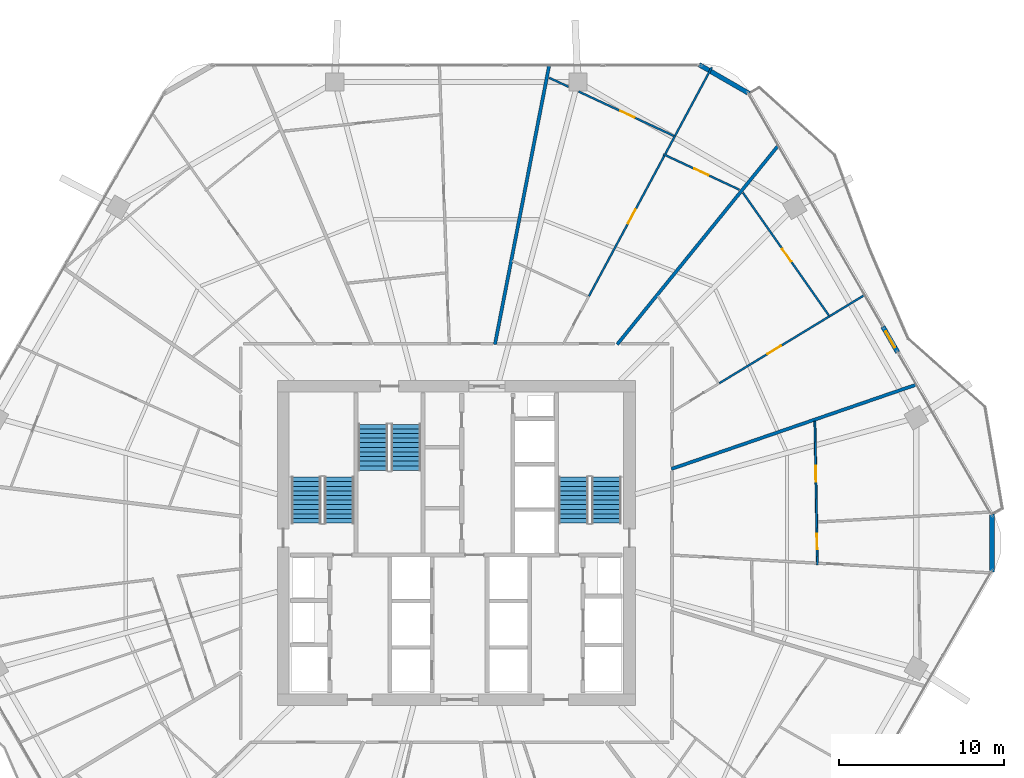
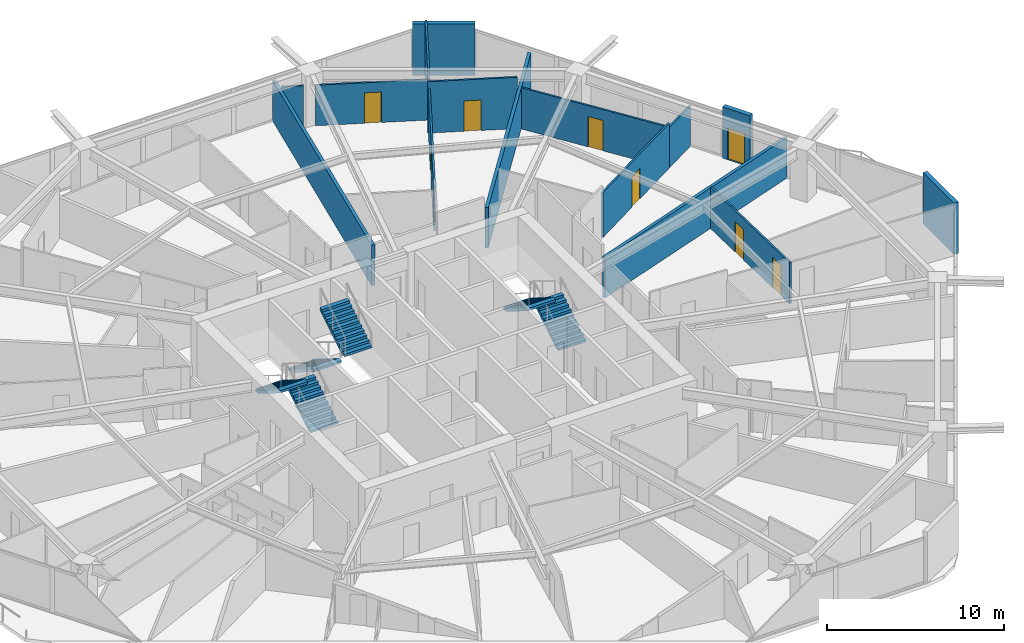
# One storey, part 29 of 32: 16 walls, 8 doors, 6 stair flights, 8 openings, 3 elements without a shape of their own.
"""IFC4 building model written with IfcOpenShell, lengths in metres."""

from ifc_helpers import new_model, si_unit, direction, frame, frame_2d, origin, place, context, subcontext, project, spatial, polyline, rectangle, outline, extrude, material, layer, layer_set, type_object, element, fill, aggregate, save


model = new_model("IFC4")

# Units and contexts
model_context = context("Model", 3, precision=1e-05, world=origin(), true_north=direction((0.0, 1.0)))
body_context = subcontext(model_context, "Body", "Model", "MODEL_VIEW")
ifc_project = project(units=[si_unit("LENGTHUNIT", "METRE"), si_unit("AREAUNIT", "SQUARE_METRE"), si_unit("VOLUMEUNIT", "CUBIC_METRE"), si_unit("PLANEANGLEUNIT", "RADIAN"), si_unit("MASSUNIT", "GRAM", prefix="KILO")], contexts=[model_context])

# Site, building, storey
site_placement = place(None, origin())
site = spatial("IfcSite", under=ifc_project, at=site_placement, CompositionType="ELEMENT")
building_placement = place(site_placement, origin())
building = spatial("IfcBuilding", under=site, at=building_placement, Name="Zuhravey Tower", CompositionType="ELEMENT")
storey_placement = place(building_placement, frame((0.0, 0.0, 111.39990234375)))
storey = spatial("IfcBuildingStorey", under=building, at=storey_placement, Name="L27", CompositionType="ELEMENT", Elevation=111.39990234375)

# Wall
ifc_material_1 = material(Name="Precast concrete C40/50", Category="concrete")
ifc_layer_1 = layer(ifc_material_1, 0.280029296875)
ifc_layer_set_1 = layer_set([ifc_layer_1], Name="Precast concrete C40/50")
wall_type_1 = type_object("IfcWallType", Name="Crown Architectural Wall 280", PredefinedType="SOLIDWALL", material=ifc_layer_set_1)
wall_1_placement = place(storey_placement, frame((50.71728515625, 61.006103515625, 0.0), z_axis=(0.0, 0.0, 1.0), x_axis=(0.866007452331, -0.500031091541, 0.0)))
element("IfcWall", 1, at=wall_1_placement, inside=storey, type_object=wall_type_1, Name="L27 Rounded Corner Closure Wall EW28-10", PredefinedType="SOLIDWALL", context=body_context, shape_type="SweptSolid", body=[
    extrude(rectangle(XDim=3.514892578125, YDim=0.280029296875, at=frame_2d((1.75732421875, 0.0))), origin(), (0.0, 0.0, 1.0), 3.550048828125),
])

# Wall, opening, door
wall_2_placement = place(storey_placement, frame((61.865478515625, 45.11669921875, 0.0), z_axis=(0.0, 0.0, 1.0), x_axis=(0.499982180423, -0.866035691677, 0.0)))
wall_2 = element("IfcWall", 2, at=wall_2_placement, inside=storey, type_object=wall_type_1, Name="L27 Face 1 Facade Pier EW28-1", PredefinedType="SOLIDWALL", context=body_context, shape_type="SweptSolid", body=[
    extrude(rectangle(XDim=1.7900390625, YDim=0.280029296875, at=frame_2d((0.89501953125, 0.0))), origin(), (0.0, 0.0, 1.0), 3.550048828125),
])
opening_1_placement = place(wall_2_placement, frame((0.344970703125, 0.0, 0.0)))
opening_1 = element("IfcOpeningElement", 3, at=opening_1_placement, cuts=wall_2, Name="Opening BLD1", PredefinedType="OPENING", context=body_context, shape_type="SweptSolid", body=[
    extrude(rectangle(XDim=1.10009765625, YDim=2.199951171875, at=frame_2d((0.550048828125, 1.10009765625))), frame((0.0, 0.152099609375, 0.0), z_axis=(0.0, -1.0, 0.0), x_axis=(1.0, 0.0, 0.0)), (0.0, 0.0, 1.0), 0.303955078125),
])
ifc_material_2 = material(Name="Thermally broken aluminium and low-E glass", Category="aluminium")
door_type_1 = type_object("IfcDoorType", Name="Balcony & Sky-Tray Glazed Door 1100x2200", OperationType="NOTDEFINED", PredefinedType="DOOR", material=ifc_material_2)
door_1_placement = place(opening_1_placement, frame((1.10009765625, 0.0, 0.0), z_axis=(0.0, 0.0, 1.0), x_axis=(-1.0, 0.0, 0.0)))
door_1 = element("IfcDoor", 4, at=door_1_placement, inside=storey, type_object=door_type_1, Name="L27 Face 1 Wave Balcony Door", OperationType="SINGLE_SWING_RIGHT", OverallHeight=2.199951171875, OverallWidth=1.10009765625, PredefinedType="DOOR", context=body_context, shape_type="SweptSolid", body=[
    extrude(rectangle(XDim=1.10009765625, YDim=2.199951171875, at=frame_2d((0.550048828125, 1.10009765625))), frame((0.0, 0.02490234375, 0.0), z_axis=(0.0, -1.0, 0.0), x_axis=(1.0, 0.0, 0.0)), (0.0, 0.0, 1.0), 0.050048828125),
])
fill(opening_1, door_1)

# Walls
wall_3_placement = place(storey_placement, frame((68.478515625, 33.757568359375, 0.0), z_axis=(0.0, 0.0, 1.0), x_axis=(0.0, -1.0, 0.0)))
element("IfcWall", 5, at=wall_3_placement, inside=storey, type_object=wall_type_1, Name="L27 Rounded Corner Closure Wall EW28-12", PredefinedType="SOLIDWALL", context=body_context, shape_type="SweptSolid", body=[
    extrude(rectangle(XDim=3.51513671875, YDim=0.280029296875, at=frame_2d((1.757568359375, 0.0))), origin(), (0.0, 0.0, 1.0), 3.550048828125),
])
ifc_material_3 = material(Name="Gypsum double-stud party assembly")
ifc_layer_2 = layer(ifc_material_3, 0.199951171875)
ifc_layer_set_2 = layer_set([ifc_layer_2], Name="Gypsum double-stud party assembly")
wall_type_2 = type_object("IfcWallType", Name="Inter-Tenancy Party Wall 200", PredefinedType="PARTITIONING", material=ifc_layer_set_2)
wall_4_placement = place(storey_placement, frame((49.0400390625, 36.489990234375, 0.0), z_axis=(0.0, 0.0, 1.0), x_axis=(0.945516411569, 0.325574439191, 0.0)))
element("IfcWall", 6, at=wall_4_placement, inside=storey, type_object=wall_type_2, Name="L27 IW20 Partition 084", PredefinedType="PARTITIONING", context=body_context, shape_type="SweptSolid", body=[
    extrude(rectangle(XDim=15.709228515625, YDim=0.199951171875, at=frame_2d((7.8544921875, 0.0))), origin(), (0.0, 0.0, 1.0), 2.800048828125),
])
wall_5_placement = place(storey_placement, frame((45.749755859375, 44.0400390625, 0.0), z_axis=(0.0, 0.0, 1.0), x_axis=(0.629320806321, 0.777145625177, 0.0)))
element("IfcWall", 7, at=wall_5_placement, inside=storey, type_object=wall_type_2, Name="L27 IW20 Partition 088", PredefinedType="PARTITIONING", context=body_context, shape_type="SweptSolid", body=[
    extrude(rectangle(XDim=15.5263671875, YDim=0.199951171875, at=frame_2d((7.76318359375, 0.0))), origin(), (0.0, 0.0, 1.0), 2.800048828125),
])
wall_6_placement = place(storey_placement, frame((38.34033203125, 44.0400390625, 0.0), z_axis=(0.0, 0.0, 1.0), x_axis=(0.190806720502, 0.981627625636, 0.0)))
element("IfcWall", 8, at=wall_6_placement, inside=storey, type_object=wall_type_2, Name="L27 IW20 Partition 093", PredefinedType="PARTITIONING", context=body_context, shape_type="SweptSolid", body=[
    extrude(rectangle(XDim=17.235107421875, YDim=0.199951171875, at=frame_2d((8.61767578125, 0.0))), origin(), (0.0, 0.0, 1.0), 2.800048828125),
])

# Wall, opening, door
ifc_material_4 = material(Name="Gypsum metal-stud partition")
ifc_layer_3 = layer(ifc_material_4, 0.1201171875)
ifc_layer_set_3 = layer_set([ifc_layer_3], Name="Gypsum metal-stud partition")
wall_type_3 = type_object("IfcWallType", Name="Unit Internal Partition 120", PredefinedType="PARTITIONING", material=ifc_layer_set_3)
wall_7_placement = place(storey_placement, frame((51.94384765625, 41.686279296875, 0.0), z_axis=(0.0, 0.0, 1.0), x_axis=(0.854642479396, 0.519216941569, 0.0)))
wall_7 = element("IfcWall", 9, at=wall_7_placement, inside=storey, type_object=wall_type_3, Name="L27 IW12 Partition 020", PredefinedType="PARTITIONING", context=body_context, shape_type="SweptSolid", body=[
    extrude(rectangle(XDim=7.842529296875, YDim=0.1201171875, at=frame_2d((3.92138671875, 0.0))), origin(), (0.0, 0.0, 1.0), 3.10009765625),
])
opening_2_placement = place(wall_7_placement, frame((3.421142578125, 0.0, 0.0)))
opening_2 = element("IfcOpeningElement", 10, at=opening_2_placement, cuts=wall_7, Name="Opening IND1", PredefinedType="OPENING", context=body_context, shape_type="SweptSolid", body=[
    extrude(rectangle(XDim=0.949951171875, YDim=2.10009765625, at=frame_2d((0.47509765625, 1.050048828125))), frame((0.0, 0.072021484375, 0.0), z_axis=(0.0, -1.0, 0.0), x_axis=(1.0, 0.0, 0.0)), (0.0, 0.0, 1.0), 0.14404296875),
])
ifc_material_5 = material(Name="Painted engineered timber leaf", Category="wood")
door_type_2 = type_object("IfcDoorType", Name="Internal Room & Bedroom Door 950x2100", OperationType="NOTDEFINED", PredefinedType="DOOR", material=ifc_material_5)
door_2_placement = place(opening_2_placement, origin())
door_2 = element("IfcDoor", 11, at=door_2_placement, inside=storey, type_object=door_type_2, Name="Apartment L27-01 Home Office Door", OperationType="SINGLE_SWING_RIGHT", OverallHeight=2.10009765625, OverallWidth=0.949951171875, PredefinedType="DOOR", context=body_context, shape_type="SweptSolid", body=[
    extrude(rectangle(XDim=0.949951171875, YDim=2.10009765625, at=frame_2d((0.47509765625, 1.050048828125))), frame((0.0, 0.02490234375, 0.0), z_axis=(0.0, -1.0, 0.0), x_axis=(1.0, 0.0, 0.0)), (0.0, 0.0, 1.0), 0.050048828125),
])
fill(opening_2, door_2)

wall_8_placement = place(storey_placement, frame((58.5859375, 45.80126953125, 0.0), z_axis=(0.0, 0.0, 1.0), x_axis=(-0.573574227098, 0.81915359122, 0.0)))
wall_8 = element("IfcWall", 12, at=wall_8_placement, inside=storey, type_object=wall_type_3, Name="L27 IW12 Partition 021", PredefinedType="PARTITIONING", context=body_context, shape_type="SweptSolid", body=[
    extrude(rectangle(XDim=9.07958984375, YDim=0.1201171875, at=frame_2d((4.539794921875, 0.0))), origin(), (0.0, 0.0, 1.0), 2.85009765625),
])
opening_3_placement = place(wall_8_placement, frame((3.98046875, 0.0, 0.0)))
opening_3 = element("IfcOpeningElement", 13, at=opening_3_placement, cuts=wall_8, Name="Opening IND1", PredefinedType="OPENING", context=body_context, shape_type="SweptSolid", body=[
    extrude(rectangle(XDim=0.949951171875, YDim=2.10009765625, at=frame_2d((0.47509765625, 1.050048828125))), frame((0.0, 0.072021484375, 0.0), z_axis=(0.0, -1.0, 0.0), x_axis=(1.0, 0.0, 0.0)), (0.0, 0.0, 1.0), 0.14404296875),
])
door_3_placement = place(opening_3_placement, frame((0.949951171875, 0.0, 0.0), z_axis=(0.0, 0.0, 1.0), x_axis=(-1.0, 0.0, 0.0)))
door_3 = element("IfcDoor", 14, at=door_3_placement, inside=storey, type_object=door_type_2, Name="Apartment L27-01 Bedroom 1 Door", OperationType="SINGLE_SWING_LEFT", OverallHeight=2.10009765625, OverallWidth=0.949951171875, PredefinedType="DOOR", context=body_context, shape_type="SweptSolid", body=[
    extrude(rectangle(XDim=0.949951171875, YDim=2.10009765625, at=frame_2d((0.47509765625, 1.050048828125))), frame((0.0, 0.02490234375, 0.0), z_axis=(0.0, -1.0, 0.0), x_axis=(1.0, 0.0, 0.0)), (0.0, 0.0, 1.0), 0.050048828125),
])
fill(opening_3, door_3)

wall_9_placement = place(storey_placement, frame((53.166259765625, 53.42041015625, 0.0), z_axis=(0.0, 0.0, 1.0), x_axis=(-0.906301834907, 0.422631025889, 0.0)))
wall_9 = element("IfcWall", 15, at=wall_9_placement, inside=storey, type_object=wall_type_3, Name="L27 IW12 Partition 023", PredefinedType="PARTITIONING", context=body_context, shape_type="SweptSolid", body=[
    extrude(rectangle(XDim=5.095703125, YDim=0.1201171875, at=frame_2d((2.5478515625, 0.0))), origin(), (0.0, 0.0, 1.0), 3.550048828125),
])
opening_4_placement = place(wall_9_placement, frame((2.072998046875, 0.0, 0.0)))
opening_4 = element("IfcOpeningElement", 16, at=opening_4_placement, cuts=wall_9, Name="Opening IND1", PredefinedType="OPENING", context=body_context, shape_type="SweptSolid", body=[
    extrude(rectangle(XDim=0.949951171875, YDim=2.10009765625, at=frame_2d((0.47509765625, 1.050048828125))), frame((0.0, 0.072021484375, 0.0), z_axis=(0.0, -1.0, 0.0), x_axis=(1.0, 0.0, 0.0)), (0.0, 0.0, 1.0), 0.14404296875),
])
door_4_placement = place(opening_4_placement, frame((0.949951171875, 0.0, 0.0), z_axis=(0.0, 0.0, 1.0), x_axis=(-1.0, 0.0, 0.0)))
door_4 = element("IfcDoor", 17, at=door_4_placement, inside=storey, type_object=door_type_2, Name="Apartment L27-02 Family Study Door", OperationType="SINGLE_SWING_LEFT", OverallHeight=2.10009765625, OverallWidth=0.949951171875, PredefinedType="DOOR", context=body_context, shape_type="SweptSolid", body=[
    extrude(rectangle(XDim=0.949951171875, YDim=2.10009765625, at=frame_2d((0.47509765625, 1.050048828125))), frame((0.0, 0.02490234375, 0.0), z_axis=(0.0, -1.0, 0.0), x_axis=(1.0, 0.0, 0.0)), (0.0, 0.0, 1.0), 0.050048828125),
])
fill(opening_4, door_4)

wall_10_placement = place(storey_placement, frame((44.03759765625, 46.964599609375, 0.0), z_axis=(0.0, 0.0, 1.0), x_axis=(0.473145171057, 0.880984476086, 0.0)))
wall_10 = element("IfcWall", 18, at=wall_10_placement, inside=storey, type_object=wall_type_3, Name="L27 IW12 Partition 025", PredefinedType="PARTITIONING", context=body_context, shape_type="SweptSolid", body=[
    extrude(rectangle(XDim=9.65625, YDim=0.1201171875, at=frame_2d((4.828125, 0.0))), origin(), (0.0, 0.0, 1.0), 3.10009765625),
])
opening_5_placement = place(wall_10_placement, frame((5.014404296875, 0.0, 0.0)))
opening_5 = element("IfcOpeningElement", 19, at=opening_5_placement, cuts=wall_10, Name="Opening IND1", PredefinedType="OPENING", context=body_context, shape_type="SweptSolid", body=[
    extrude(rectangle(XDim=0.949951171875, YDim=2.10009765625, at=frame_2d((0.47509765625, 1.050048828125))), frame((0.0, 0.072021484375, 0.0), z_axis=(0.0, -1.0, 0.0), x_axis=(1.0, 0.0, 0.0)), (0.0, 0.0, 1.0), 0.14404296875),
])
door_5_placement = place(opening_5_placement, origin())
door_5 = element("IfcDoor", 20, at=door_5_placement, inside=storey, type_object=door_type_2, Name="Apartment L27-02 Home Office Door", OperationType="SINGLE_SWING_LEFT", OverallHeight=2.10009765625, OverallWidth=0.949951171875, PredefinedType="DOOR", context=body_context, shape_type="SweptSolid", body=[
    extrude(rectangle(XDim=0.949951171875, YDim=2.10009765625, at=frame_2d((0.47509765625, 1.050048828125))), frame((0.0, 0.02490234375, 0.0), z_axis=(0.0, -1.0, 0.0), x_axis=(1.0, 0.0, 0.0)), (0.0, 0.0, 1.0), 0.050048828125),
])
fill(opening_5, door_5)

# Wall
wall_11_placement = place(storey_placement, frame((48.6708984375, 55.591796875, 0.0), z_axis=(0.0, 0.0, 1.0), x_axis=(0.473251547015, 0.880927337099, 0.0)))
element("IfcWall", 21, at=wall_11_placement, inside=storey, type_object=wall_type_3, Name="L27 IW12 Partition 026", PredefinedType="PARTITIONING", context=body_context, shape_type="SweptSolid", body=[
    extrude(rectangle(XDim=1.236083984375, YDim=0.1201171875, at=frame_2d((0.6181640625, 0.0))), origin(), (0.0, 0.0, 1.0), 2.800048828125),
])

# Wall, opening, door
wall_12_placement = place(storey_placement, frame((49.18212890625, 56.687255859375, 0.0), z_axis=(0.0, 0.0, 1.0), x_axis=(-0.906301625288, 0.422631475402, 0.0)))
wall_12 = element("IfcWall", 22, at=wall_12_placement, inside=storey, type_object=wall_type_3, Name="L27 IW12 Partition 027", PredefinedType="PARTITIONING", context=body_context, shape_type="SweptSolid", body=[
    extrude(rectangle(XDim=6.36767578125, YDim=0.1201171875, at=frame_2d((3.183837890625, 0.0))), origin(), (0.0, 0.0, 1.0), 2.800048828125),
])
opening_6_placement = place(wall_12_placement, frame((2.624755859375, 0.0, 0.0)))
opening_6 = element("IfcOpeningElement", 23, at=opening_6_placement, cuts=wall_12, Name="Opening IND1", PredefinedType="OPENING", context=body_context, shape_type="SweptSolid", body=[
    extrude(rectangle(XDim=0.949951171875, YDim=2.10009765625, at=frame_2d((0.47509765625, 1.050048828125))), frame((0.0, 0.072021484375, 0.0), z_axis=(0.0, -1.0, 0.0), x_axis=(1.0, 0.0, 0.0)), (0.0, 0.0, 1.0), 0.14404296875),
])
door_6_placement = place(opening_6_placement, frame((0.949951171875, 0.0, 0.0), z_axis=(0.0, 0.0, 1.0), x_axis=(-1.0, 0.0, 0.0)))
door_6 = element("IfcDoor", 24, at=door_6_placement, inside=storey, type_object=door_type_2, Name="Apartment L27-02 Kitchen Door", OperationType="SINGLE_SWING_RIGHT", OverallHeight=2.10009765625, OverallWidth=0.949951171875, PredefinedType="DOOR", context=body_context, shape_type="SweptSolid", body=[
    extrude(rectangle(XDim=0.949951171875, YDim=2.10009765625, at=frame_2d((0.47509765625, 1.050048828125))), frame((0.0, 0.02490234375, 0.0), z_axis=(0.0, -1.0, 0.0), x_axis=(1.0, 0.0, 0.0)), (0.0, 0.0, 1.0), 0.050048828125),
])
fill(opening_6, door_6)

# Wall, openings, doors
wall_13_placement = place(storey_placement, frame((57.892578125, 30.67578125, 0.0), z_axis=(0.0, 0.0, 1.0), x_axis=(-0.017472298046, 0.999847347749, 0.0)))
wall_13 = element("IfcWall", 25, at=wall_13_placement, inside=storey, type_object=wall_type_3, Name="L27 IW12 Partition 069", PredefinedType="PARTITIONING", context=body_context, shape_type="SweptSolid", body=[
    extrude(rectangle(XDim=8.705078125, YDim=0.1201171875, at=frame_2d((4.3525390625, 0.0))), origin(), (0.0, 0.0, 1.0), 2.85009765625),
])
opening_7_placement = place(wall_13_placement, frame((0.941162109375, 0.0, 0.0)))
opening_7 = element("IfcOpeningElement", 26, at=opening_7_placement, cuts=wall_13, Name="Opening IND1", PredefinedType="OPENING", context=body_context, shape_type="SweptSolid", body=[
    extrude(rectangle(XDim=0.949951171875, YDim=2.10009765625, at=frame_2d((0.47509765625, 1.050048828125))), frame((0.0, 0.072021484375, 0.0), z_axis=(0.0, -1.0, 0.0), x_axis=(1.0, 0.0, 0.0)), (0.0, 0.0, 1.0), 0.14404296875),
])
opening_8_placement = place(wall_13_placement, frame((5.0537109375, 0.0, 0.0)))
opening_8 = element("IfcOpeningElement", 27, at=opening_8_placement, cuts=wall_13, Name="Opening IND1", PredefinedType="OPENING", context=body_context, shape_type="SweptSolid", body=[
    extrude(rectangle(XDim=0.949951171875, YDim=2.10009765625, at=frame_2d((0.47509765625, 1.050048828125))), frame((0.0, 0.072021484375, 0.0), z_axis=(0.0, -1.0, 0.0), x_axis=(1.0, 0.0, 0.0)), (0.0, 0.0, 1.0), 0.14404296875),
])
door_7_placement = place(opening_7_placement, frame((0.949951171875, 0.0, 0.0), z_axis=(0.0, 0.0, 1.0), x_axis=(-1.0, 0.0, 0.0)))
door_7 = element("IfcDoor", 28, at=door_7_placement, inside=storey, type_object=door_type_2, Name="Apartment L27-11 Family Study Door", OperationType="SINGLE_SWING_RIGHT", OverallHeight=2.10009765625, OverallWidth=0.949951171875, PredefinedType="DOOR", context=body_context, shape_type="SweptSolid", body=[
    extrude(rectangle(XDim=0.949951171875, YDim=2.10009765625, at=frame_2d((0.47509765625, 1.050048828125))), frame((0.0, 0.02490234375, 0.0), z_axis=(0.0, -1.0, 0.0), x_axis=(1.0, 0.0, 0.0)), (0.0, 0.0, 1.0), 0.050048828125),
])
fill(opening_7, door_7)
door_8_placement = place(opening_8_placement, frame((0.949951171875, 0.0, 0.0), z_axis=(0.0, 0.0, 1.0), x_axis=(-1.0, 0.0, 0.0)))
door_8 = element("IfcDoor", 29, at=door_8_placement, inside=storey, type_object=door_type_2, Name="Apartment L27-11 Dining Room Door", OperationType="SINGLE_SWING_LEFT", OverallHeight=2.10009765625, OverallWidth=0.949951171875, PredefinedType="DOOR", context=body_context, shape_type="SweptSolid", body=[
    extrude(rectangle(XDim=0.949951171875, YDim=2.10009765625, at=frame_2d((0.47509765625, 1.050048828125))), frame((0.0, 0.02490234375, 0.0), z_axis=(0.0, -1.0, 0.0), x_axis=(1.0, 0.0, 0.0)), (0.0, 0.0, 1.0), 0.050048828125),
])
fill(opening_8, door_8)

# Walls
wall_14_placement = place(storey_placement, frame((58.646484375, 45.75830078125, 0.0), z_axis=(0.0, 0.0, 1.0), x_axis=(0.854604427489, 0.519279570672, 0.0)))
element("IfcWall", 30, at=wall_14_placement, inside=storey, type_object=wall_type_3, Name="L27 IW12 Partition 086", PredefinedType="PARTITIONING", context=body_context, shape_type="SweptSolid", body=[
    extrude(rectangle(XDim=2.472412109375, YDim=0.1201171875, at=frame_2d((1.236328125, 0.0))), origin(), (0.0, 0.0, 1.0), 2.800048828125),
])
wall_15_placement = place(storey_placement, frame((49.255859375, 56.6806640625, 0.0), z_axis=(0.0, 0.0, 1.0), x_axis=(0.473160047709, 0.880976486209, 0.0)))
element("IfcWall", 31, at=wall_15_placement, inside=storey, type_object=wall_type_3, Name="L27 IW12 Partition 090", PredefinedType="PARTITIONING", context=body_context, shape_type="SweptSolid", body=[
    extrude(rectangle(XDim=4.726318359375, YDim=0.1201171875, at=frame_2d((2.36328125, 0.0))), origin(), (0.0, 0.0, 1.0), 3.550048828125),
])
wall_16_placement = place(storey_placement, frame((42.800048828125, 59.66357421875, 0.0), z_axis=(0.0, 0.0, 1.0), x_axis=(-0.906338544202, 0.42255229652, 0.0)))
element("IfcWall", 32, at=wall_16_placement, inside=storey, type_object=wall_type_3, Name="L27 IW12 Partition 092", PredefinedType="PARTITIONING", context=body_context, shape_type="SweptSolid", body=[
    extrude(rectangle(XDim=1.283935546875, YDim=0.1201171875, at=frame_2d((0.64208984375, 0.0))), origin(), (0.0, 0.0, 1.0), 2.800048828125),
])

# Stair, stair flights
ifc_material_6 = material(Name="Concrete C40/50", Category="concrete")
stair_type = type_object("IfcStairType", Name="Housing Storey Stair Assembly 3800", PredefinedType="HALF_TURN_STAIR", material=ifc_material_6)
stair_1_placement = place(storey_placement, origin())
stair_1 = element("IfcStair", 33, at=stair_1_placement, inside=storey, type_object=stair_type, Name="L27 Core Exit Stair ST1", PredefinedType="HALF_TURN_STAIR")
stair_flight_type = type_object("IfcStairFlightType", Name="Housing Storey Stair Flight 3800", PredefinedType="STRAIGHT", material=ifc_material_6)
stair_flight_1_placement = place(storey_placement, frame((28.89990234375, 33.199951171875, 0.0), z_axis=(0.0, 0.0, 1.0), x_axis=(0.0, 1.0, 0.0)))
stair_flight_1 = element("IfcStairFlight", 34, at=stair_flight_1_placement, type_object=stair_flight_type, Name="ST1 flight 1", NumberOfRisers=11, NumberOfTreads=10, PredefinedType="STRAIGHT", RiserHeight=0.172727273, TreadLength=0.28, context=body_context, shape_type="SweptSolid", body=[
    extrude(outline(polyline([(0.0, 0.0), (0.0, 0.172607421875), (0.280029296875, 0.172607421875), (0.280029296875, 0.345458984375), (0.56005859375, 0.345458984375), (0.56005859375, 0.51806640625), (0.840087890625, 0.51806640625), (0.840087890625, 0.69091796875), (1.1201171875, 0.69091796875), (1.1201171875, 0.863525390625), (1.39990234375, 0.863525390625), (1.39990234375, 1.036376953125), (1.679931640625, 1.036376953125), (1.679931640625, 1.208984375), (1.9599609375, 1.208984375), (1.9599609375, 1.3818359375), (2.239990234375, 1.3818359375), (2.239990234375, 1.554443359375), (2.52001953125, 1.554443359375), (2.52001953125, 1.727294921875), (2.800048828125, 1.727294921875), (2.800048828125, 1.89990234375), (2.800048828125, 1.551025390625), (0.285400390625, 0.0), (0.0, 0.0)])), frame((0.0, 0.89990234375, 0.0), z_axis=(0.0, -1.0, 0.0), x_axis=(1.0, 0.0, 0.0)), (0.0, 0.0, 1.0), 1.800048828125),
])
stair_flight_2_placement = place(storey_placement, frame((26.89990234375, 36.0, 1.900146484375), z_axis=(0.0, 0.0, 1.0), x_axis=(0.0, -1.0, 0.0)))
stair_flight_2 = element("IfcStairFlight", 35, at=stair_flight_2_placement, type_object=stair_flight_type, Name="ST1 flight 2", NumberOfRisers=11, NumberOfTreads=10, PredefinedType="STRAIGHT", RiserHeight=0.172727273, TreadLength=0.28, context=body_context, shape_type="SweptSolid", body=[
    extrude(outline(polyline([(0.0, 0.0), (0.0, 0.172607421875), (0.280029296875, 0.172607421875), (0.280029296875, 0.345458984375), (0.56005859375, 0.345458984375), (0.56005859375, 0.51806640625), (0.840087890625, 0.51806640625), (0.840087890625, 0.69091796875), (1.1201171875, 0.69091796875), (1.1201171875, 0.863525390625), (1.39990234375, 0.863525390625), (1.39990234375, 1.036376953125), (1.679931640625, 1.036376953125), (1.679931640625, 1.208984375), (1.9599609375, 1.208984375), (1.9599609375, 1.3818359375), (2.239990234375, 1.3818359375), (2.239990234375, 1.554443359375), (2.52001953125, 1.554443359375), (2.52001953125, 1.727294921875), (2.800048828125, 1.727294921875), (2.800048828125, 1.89990234375), (2.800048828125, 1.551025390625), (0.285400390625, 0.0), (0.0, 0.0)])), frame((0.0, 0.89990234375, 0.0), z_axis=(0.0, -1.0, 0.0), x_axis=(1.0, 0.0, 0.0)), (0.0, 0.0, 1.0), 1.800048828125),
])
aggregate(stair_1, [stair_flight_1, stair_flight_2])

stair_2_placement = place(storey_placement, origin())
stair_2 = element("IfcStair", 36, at=stair_2_placement, inside=storey, type_object=stair_type, Name="L27 Core Exit Stair ST2", PredefinedType="HALF_TURN_STAIR")
stair_flight_3_placement = place(storey_placement, frame((45.10009765625, 33.199951171875, 0.0), z_axis=(0.0, 0.0, 1.0), x_axis=(0.0, 1.0, 0.0)))
stair_flight_3 = element("IfcStairFlight", 37, at=stair_flight_3_placement, type_object=stair_flight_type, Name="ST2 flight 1", NumberOfRisers=11, NumberOfTreads=10, PredefinedType="STRAIGHT", RiserHeight=0.172727273, TreadLength=0.28, context=body_context, shape_type="SweptSolid", body=[
    extrude(outline(polyline([(0.0, 0.0), (0.0, 0.172607421875), (0.280029296875, 0.172607421875), (0.280029296875, 0.345458984375), (0.56005859375, 0.345458984375), (0.56005859375, 0.51806640625), (0.840087890625, 0.51806640625), (0.840087890625, 0.69091796875), (1.1201171875, 0.69091796875), (1.1201171875, 0.863525390625), (1.39990234375, 0.863525390625), (1.39990234375, 1.036376953125), (1.679931640625, 1.036376953125), (1.679931640625, 1.208984375), (1.9599609375, 1.208984375), (1.9599609375, 1.3818359375), (2.239990234375, 1.3818359375), (2.239990234375, 1.554443359375), (2.52001953125, 1.554443359375), (2.52001953125, 1.727294921875), (2.800048828125, 1.727294921875), (2.800048828125, 1.89990234375), (2.800048828125, 1.551025390625), (0.285400390625, 0.0), (0.0, 0.0)])), frame((0.0, 0.89990234375, 0.0), z_axis=(0.0, -1.0, 0.0), x_axis=(1.0, 0.0, 0.0)), (0.0, 0.0, 1.0), 1.800048828125),
])
stair_flight_4_placement = place(storey_placement, frame((43.10009765625, 36.0, 1.900146484375), z_axis=(0.0, 0.0, 1.0), x_axis=(0.0, -1.0, 0.0)))
stair_flight_4 = element("IfcStairFlight", 38, at=stair_flight_4_placement, type_object=stair_flight_type, Name="ST2 flight 2", NumberOfRisers=11, NumberOfTreads=10, PredefinedType="STRAIGHT", RiserHeight=0.172727273, TreadLength=0.28, context=body_context, shape_type="SweptSolid", body=[
    extrude(outline(polyline([(0.0, 0.0), (0.0, 0.172607421875), (0.280029296875, 0.172607421875), (0.280029296875, 0.345458984375), (0.56005859375, 0.345458984375), (0.56005859375, 0.51806640625), (0.840087890625, 0.51806640625), (0.840087890625, 0.69091796875), (1.1201171875, 0.69091796875), (1.1201171875, 0.863525390625), (1.39990234375, 0.863525390625), (1.39990234375, 1.036376953125), (1.679931640625, 1.036376953125), (1.679931640625, 1.208984375), (1.9599609375, 1.208984375), (1.9599609375, 1.3818359375), (2.239990234375, 1.3818359375), (2.239990234375, 1.554443359375), (2.52001953125, 1.554443359375), (2.52001953125, 1.727294921875), (2.800048828125, 1.727294921875), (2.800048828125, 1.89990234375), (2.800048828125, 1.551025390625), (0.285400390625, 0.0), (0.0, 0.0)])), frame((0.0, 0.89990234375, 0.0), z_axis=(0.0, -1.0, 0.0), x_axis=(1.0, 0.0, 0.0)), (0.0, 0.0, 1.0), 1.800048828125),
])
aggregate(stair_2, [stair_flight_3, stair_flight_4])

stair_3_placement = place(storey_placement, origin())
stair_3 = element("IfcStair", 39, at=stair_3_placement, inside=storey, type_object=stair_type, Name="L27 Core Exit Stair ST3", PredefinedType="HALF_TURN_STAIR")
stair_flight_5_placement = place(storey_placement, frame((30.949951171875, 39.199951171875, 0.0), z_axis=(0.0, 0.0, 1.0), x_axis=(0.0, -1.0, 0.0)))
stair_flight_5 = element("IfcStairFlight", 40, at=stair_flight_5_placement, type_object=stair_flight_type, Name="ST3 flight 1", NumberOfRisers=11, NumberOfTreads=10, PredefinedType="STRAIGHT", RiserHeight=0.172727273, TreadLength=0.28, context=body_context, shape_type="SweptSolid", body=[
    extrude(outline(polyline([(0.0, 0.0), (0.0, 0.172607421875), (0.280029296875, 0.172607421875), (0.280029296875, 0.345458984375), (0.56005859375, 0.345458984375), (0.56005859375, 0.51806640625), (0.840087890625, 0.51806640625), (0.840087890625, 0.69091796875), (1.1201171875, 0.69091796875), (1.1201171875, 0.863525390625), (1.39990234375, 0.863525390625), (1.39990234375, 1.036376953125), (1.679931640625, 1.036376953125), (1.679931640625, 1.208984375), (1.9599609375, 1.208984375), (1.9599609375, 1.3818359375), (2.239990234375, 1.3818359375), (2.239990234375, 1.554443359375), (2.52001953125, 1.554443359375), (2.52001953125, 1.727294921875), (2.800048828125, 1.727294921875), (2.800048828125, 1.89990234375), (2.800048828125, 1.551025390625), (0.285400390625, 0.0), (0.0, 0.0)])), frame((0.0, 0.89990234375, 0.0), z_axis=(0.0, -1.0, 0.0), x_axis=(1.0, 0.0, 0.0)), (0.0, 0.0, 1.0), 1.800048828125),
])
stair_flight_6_placement = place(storey_placement, frame((32.949951171875, 36.39990234375, 1.900146484375), z_axis=(0.0, 0.0, 1.0), x_axis=(0.0, 1.0, 0.0)))
stair_flight_6 = element("IfcStairFlight", 41, at=stair_flight_6_placement, type_object=stair_flight_type, Name="ST3 flight 2", NumberOfRisers=11, NumberOfTreads=10, PredefinedType="STRAIGHT", RiserHeight=0.172727273, TreadLength=0.28, context=body_context, shape_type="SweptSolid", body=[
    extrude(outline(polyline([(0.0, 0.0), (0.0, 0.172607421875), (0.280029296875, 0.172607421875), (0.280029296875, 0.345458984375), (0.56005859375, 0.345458984375), (0.56005859375, 0.51806640625), (0.840087890625, 0.51806640625), (0.840087890625, 0.69091796875), (1.1201171875, 0.69091796875), (1.1201171875, 0.863525390625), (1.39990234375, 0.863525390625), (1.39990234375, 1.036376953125), (1.679931640625, 1.036376953125), (1.679931640625, 1.208984375), (1.9599609375, 1.208984375), (1.9599609375, 1.3818359375), (2.239990234375, 1.3818359375), (2.239990234375, 1.554443359375), (2.52001953125, 1.554443359375), (2.52001953125, 1.727294921875), (2.800048828125, 1.727294921875), (2.800048828125, 1.89990234375), (2.800048828125, 1.551025390625), (0.285400390625, 0.0), (0.0, 0.0)])), frame((0.0, 0.89990234375, 0.0), z_axis=(0.0, -1.0, 0.0), x_axis=(1.0, 0.0, 0.0)), (0.0, 0.0, 1.0), 1.800048828125),
])
aggregate(stair_3, [stair_flight_5, stair_flight_6])

save(model, "model.ifc")
